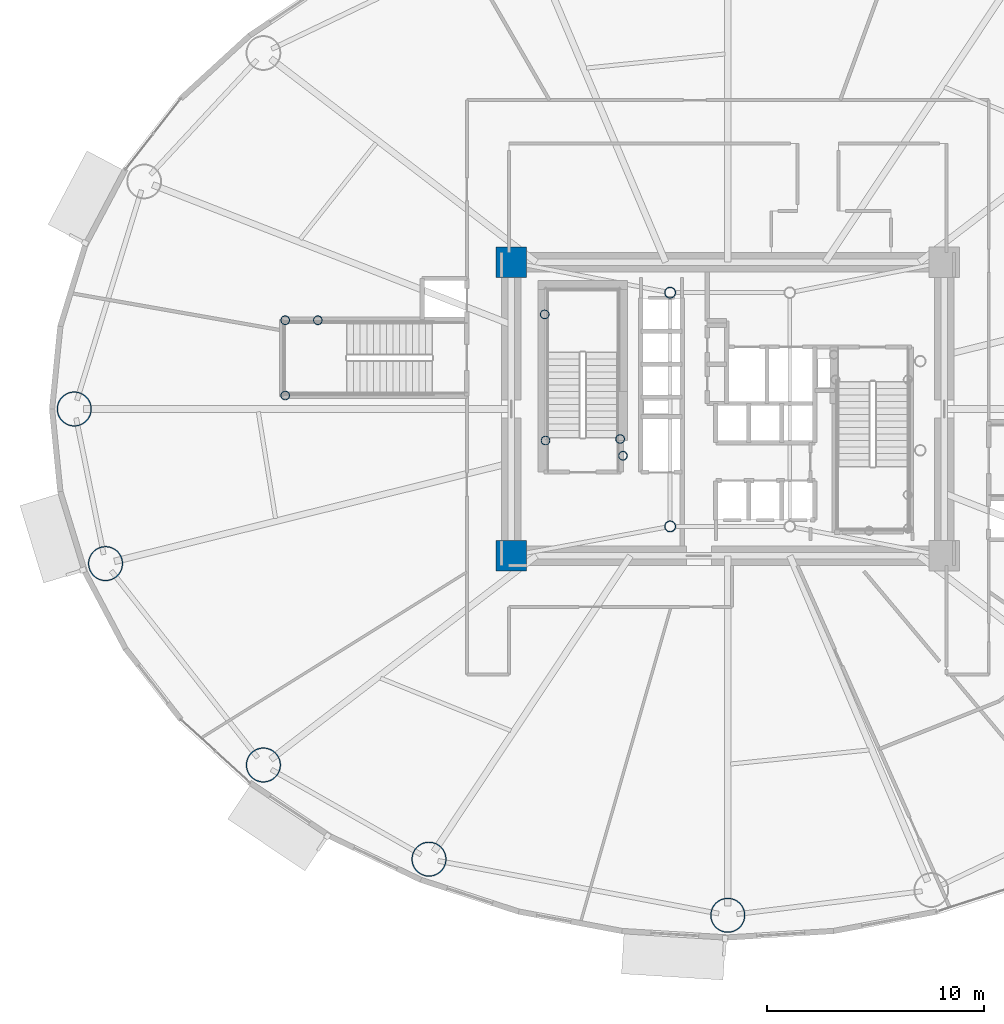
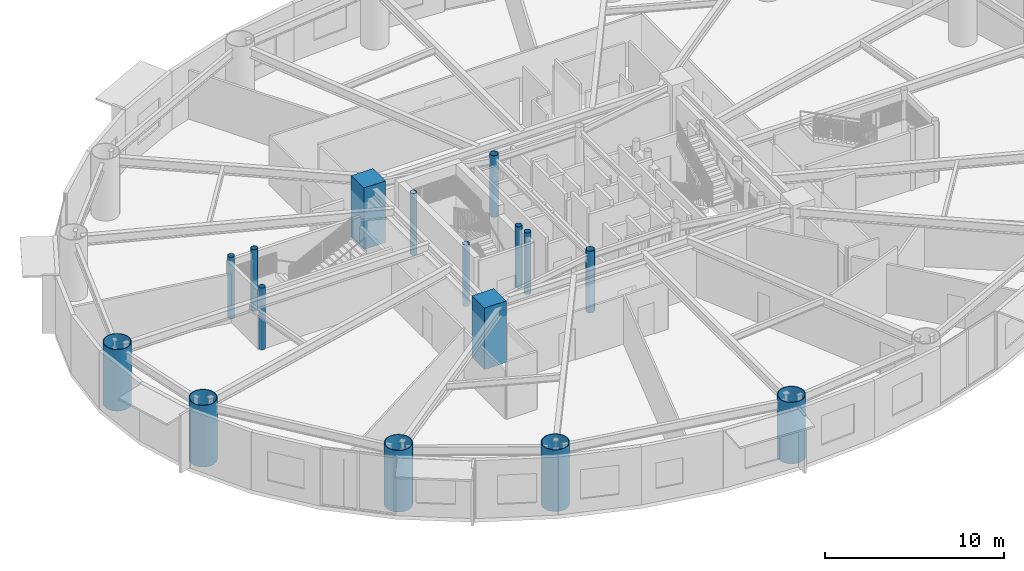
# One storey, part 1 of 28: 16 columns.
"""IFC4 building model written with IfcOpenShell, lengths in metres."""

from ifc_helpers import new_model, si_unit, direction, frame, origin, origin_2d, place, context, subcontext, project, spatial, rectangle, hollow_circle, extrude, material, material_profile, profile_set, type_object, element, save


model = new_model("IFC4")

# Units and contexts
model_context = context("Model", 3, precision=1e-05, world=origin(), true_north=direction((0.0, 1.0)))
body_context = subcontext(model_context, "Body", "Model", "MODEL_VIEW")
ifc_project = project(units=[si_unit("LENGTHUNIT", "METRE"), si_unit("AREAUNIT", "SQUARE_METRE"), si_unit("VOLUMEUNIT", "CUBIC_METRE"), si_unit("PLANEANGLEUNIT", "RADIAN"), si_unit("MASSUNIT", "GRAM", prefix="KILO")], contexts=[model_context])

# Site, building, storey
site_placement = place(None, origin())
site = spatial("IfcSite", under=ifc_project, at=site_placement, CompositionType="ELEMENT")
building_placement = place(site_placement, origin())
building = spatial("IfcBuilding", under=site, at=building_placement, Name="Linh Dai School and Residence Tower", CompositionType="ELEMENT")
storey_placement = place(building_placement, frame((0.0, 0.0, 36.60009765625)))
storey = spatial("IfcBuildingStorey", under=building, at=storey_placement, Name="L08", CompositionType="ELEMENT", Elevation=36.60009765625)

# Columns
ifc_material_1 = material(Name="Concrete B60 (C50/60)", Category="concrete")
ifc_material_profile_1 = material_profile(ifc_material_1, rectangle(XDim=1.39990234375, YDim=1.39990234375, at=origin_2d()), Name="RC 1400x1400")
ifc_profile_set_1 = profile_set([ifc_material_profile_1], Name="Concrete B60 (C50/60)")
column_type_1 = type_object("IfcColumnType", Name="COL-CC1", PredefinedType="COLUMN", material=ifc_profile_set_1)
for number, where, z_axis, x_axis, name in (
    (1, (26.050048828125, 20.25, 0.0), (0.0, 0.0, 1.0), (1.0, 0.0, 0.0), "L08 Core Corner Pier CC1"),
    (2, (26.050048828125, 33.75, 0.0), (0.0, 0.0, 1.0), (1.0, 0.0, 0.0), "L08 Core Corner Pier CC4"),
):
    element("IfcColumn", number, at=place(storey_placement, frame(where, z_axis=z_axis, x_axis=x_axis)), inside=storey, type_object=column_type_1, Name=name, PredefinedType="COLUMN", context=body_context, shape_type="SweptSolid", body=[
        extrude(rectangle(XDim=1.39990234375, YDim=1.39990234375, at=origin_2d()), origin(), (0.0, 0.0, 1.0), 4.199951171875),
    ])
ifc_material_2 = material(Name="Structural Steel S355JR", Category="steel")
ifc_material_profile_2 = material_profile(ifc_material_2, hollow_circle(Radius=0.203125, WallThickness=0.01611328125, at=origin_2d()), Name="CHS 406.4x16")
ifc_profile_set_2 = profile_set([ifc_material_profile_2], Name="Structural Steel S355JR")
column_type_2 = type_object("IfcColumnType", Name="COL-EC", PredefinedType="COLUMN", material=ifc_profile_set_2)
for number, where, z_axis, x_axis, name in (
    (3, (27.580078125, 31.35009765625, 0.0), (0.0, 0.0, 1.0), (1.0, 0.0, 0.0), "L08 Stair Shaft Landing Support Pier ST1NW"),
    (4, (31.050048828125, 25.6201171875, 0.0), (0.0, 0.0, 1.0), (1.0, 0.0, 0.0), "L08 Stair Shaft Landing Support Pier ST1SE"),
    (5, (31.179931640625, 24.85009765625, 0.0), (0.0, 0.0, 1.0), (1.0, 0.0, 0.0), "L08 Stair Shaft Landing Support Pier ST1SM"),
    (6, (27.6201171875, 25.550048828125, 0.0), (0.0, 0.0, 1.0), (1.0, 0.0, 0.0), "L08 Stair Shaft Landing Support Pier ST1SW"),
    (7, (15.64990234375, 27.6201171875, 0.0), (0.0, 0.0, 1.0), (1.0, 0.0, 0.0), "L08 Stair Shaft Landing Support Pier STS1SW"),
    (8, (15.64990234375, 31.080078125, 0.0), (0.0, 0.0, 1.0), (1.0, 0.0, 0.0), "L08 Stair Shaft Landing Support Pier STS1NW"),
    (9, (17.14990234375, 31.080078125, 0.0), (0.0, 0.0, 1.0), (1.0, 0.0, 0.0), "L08 Stair Shaft Landing Support Pier STS1ME"),
):
    element("IfcColumn", number, at=place(storey_placement, frame(where, z_axis=z_axis, x_axis=x_axis)), inside=storey, type_object=column_type_2, Name=name, PredefinedType="COLUMN", context=body_context, shape_type="SweptSolid", body=[
        extrude(hollow_circle(Radius=0.203125, WallThickness=0.01611328125, at=origin_2d()), origin(), (0.0, 0.0, 1.0), 4.199951171875),
    ])
ifc_material_profile_3 = material_profile(ifc_material_2, hollow_circle(Radius=0.800048828125, WallThickness=0.044921875, at=origin_2d()), Name="CHS 1600x45")
ifc_profile_set_3 = profile_set([ifc_material_profile_3], Name="Structural Steel S355JR")
column_type_3 = type_object("IfcColumnType", Name="COL-MC2", PredefinedType="COLUMN", material=ifc_profile_set_3)
for number, where, z_axis, x_axis, name in (
    (10, (5.949951171875, 27.0, 0.0), (0.0, 0.0, 1.0), (1.0, 0.0, 0.0), "L08 Perimeter CFT Mega-Column MC09"),
    (11, (7.38916015625, 19.891357421875, 0.0), (0.0, 0.0, 1.0), (1.0, 0.0, 0.0), "L08 Perimeter CFT Mega-Column MC10"),
    (12, (14.647216796875, 10.630859375, 0.0), (0.0, 0.0, 1.0), (1.0, 0.0, 0.0), "L08 Perimeter CFT Mega-Column MC11"),
    (13, (22.26171875, 6.30078125, 0.0), (0.0, 0.0, 1.0), (1.0, 0.0, 0.0), "L08 Perimeter CFT Mega-Column MC12"),
    (14, (36.0, 3.719970703125, 0.0), (0.0, 0.0, 1.0), (1.0, 0.0, 0.0), "L08 Perimeter CFT Mega-Column MC13"),
):
    element("IfcColumn", number, at=place(storey_placement, frame(where, z_axis=z_axis, x_axis=x_axis)), inside=storey, type_object=column_type_3, Name=name, PredefinedType="COLUMN", context=body_context, shape_type="SweptSolid", body=[
        extrude(hollow_circle(Radius=0.800048828125, WallThickness=0.044921875, at=origin_2d()), origin(), (0.0, 0.0, 1.0), 4.199951171875),
    ])
ifc_material_profile_4 = material_profile(ifc_material_2, hollow_circle(Radius=0.25390625, WallThickness=0.02001953125, at=origin_2d()), Name="CHS 508x20")
ifc_profile_set_4 = profile_set([ifc_material_profile_4], Name="Structural Steel S355JR")
column_type_4 = type_object("IfcColumnType", Name="COL-MCP", PredefinedType="COLUMN", material=ifc_profile_set_4)
for number, where, z_axis, x_axis, name in (
    (15, (33.35009765625, 21.60009765625, 0.0), (0.0, 0.0, 1.0), (1.0, 0.0, 0.0), "L08 Core Mast Support Pier MCP1"),
    (16, (33.35009765625, 32.35009765625, 0.0), (0.0, 0.0, 1.0), (1.0, 0.0, 0.0), "L08 Core Mast Support Pier MCP4"),
):
    element("IfcColumn", number, at=place(storey_placement, frame(where, z_axis=z_axis, x_axis=x_axis)), inside=storey, type_object=column_type_4, Name=name, PredefinedType="COLUMN", context=body_context, shape_type="SweptSolid", body=[
        extrude(hollow_circle(Radius=0.25390625, WallThickness=0.02001953125, at=origin_2d()), origin(), (0.0, 0.0, 1.0), 4.199951171875),
    ])

save(model, "model.ifc")
